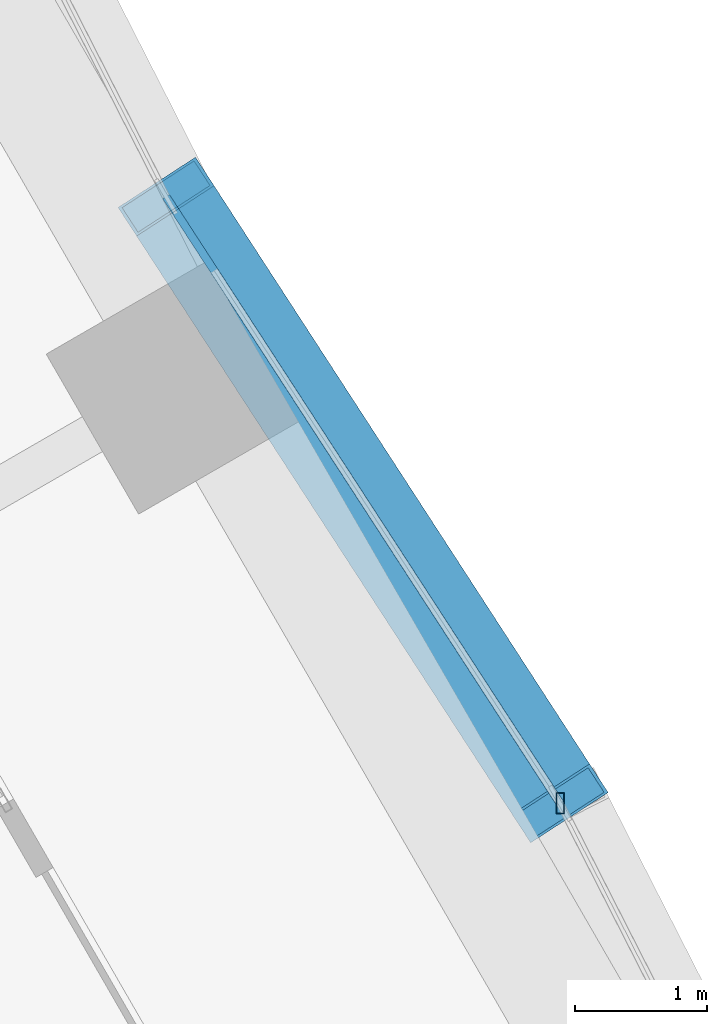
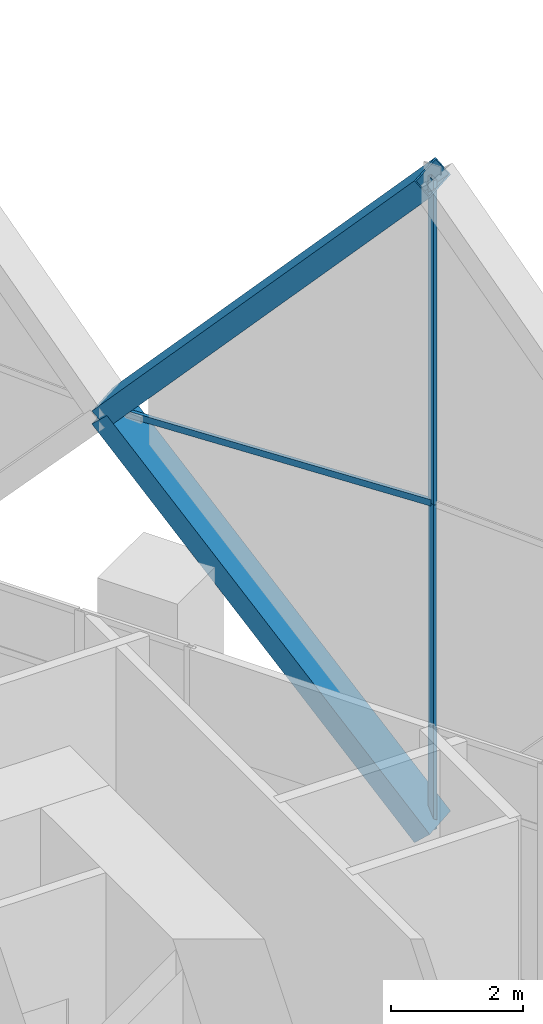
# One storey, part 31 of 46: 5 members, 2 elements without a shape of their own.
"""IFC4 building model written with IfcOpenShell, lengths in metres."""

from ifc_helpers import new_model, si_unit, direction, frame, origin, origin_2d, place, context, subcontext, project, spatial, hollow_rectangle, extrude, material, material_profile, profile_set, type_object, element, aggregate, save


model = new_model("IFC4")

# Units and contexts
model_context = context("Model", 3, precision=1e-05, world=origin(), true_north=direction((0.0, 1.0)))
body_context = subcontext(model_context, "Body", "Model", "MODEL_VIEW")
ifc_project = project(units=[si_unit("LENGTHUNIT", "METRE"), si_unit("AREAUNIT", "SQUARE_METRE"), si_unit("VOLUMEUNIT", "CUBIC_METRE"), si_unit("PLANEANGLEUNIT", "RADIAN"), si_unit("MASSUNIT", "GRAM", prefix="KILO")], contexts=[model_context])

# Site, building, storey
site_placement = place(None, origin())
site = spatial("IfcSite", under=ifc_project, at=site_placement, CompositionType="ELEMENT")
building_placement = place(site_placement, origin())
building = spatial("IfcBuilding", under=site, at=building_placement, Name="Ostrander Bayou Hotel Tower", CompositionType="ELEMENT")
storey_placement = place(building_placement, frame((0.0, 0.0, 23.5)))
storey = spatial("IfcBuildingStorey", under=building, at=storey_placement, Name="L05", CompositionType="ELEMENT", Elevation=23.5)

# Curtain wall, members
ifc_material_1 = material(Name="Aluminium and clear glass", Category="aluminium")
curtain_wall_type = type_object("IfcCurtainWallType", Name="CW-LAT lattice glazing", PredefinedType="NOTDEFINED", material=ifc_material_1)
curtain_wall_1_placement = place(storey_placement, origin())
curtain_wall_1 = element("IfcCurtainWall", 1, at=curtain_wall_1_placement, inside=storey, type_object=curtain_wall_type, Name="CW-LAT L05 NE 1", PredefinedType="NOTDEFINED")
ifc_material_2 = material(Name="Aluminium", Category="aluminium")
ifc_material_profile_1 = material_profile(ifc_material_2, hollow_rectangle(XDim=0.06005859375, YDim=0.159912109375, WallThickness=0.00390625, at=origin_2d()))
ifc_profile_set_1 = profile_set([ifc_material_profile_1], Name="Aluminium")
member_type_1 = type_object("IfcMemberType", Name="CW-LA mullion 60 x 160 mm", PredefinedType="MULLION", material=ifc_profile_set_1)
member_1_placement = place(storey_placement, frame((19.11328125, 11.034912109375, -0.60009765625), z_axis=(0.0, 0.0, 1.0), x_axis=(1.0, 0.0, 0.0)))
member_1 = element("IfcMember", 2, at=member_1_placement, type_object=member_type_1, Name="CW-LAT mullion 4", PredefinedType="MULLION", context=body_context, shape_type="SweptSolid", body=[
    extrude(hollow_rectangle(XDim=0.06005859375, YDim=0.159912109375, WallThickness=0.00390625, at=origin_2d()), origin(), (0.0, 0.0, 1.0), 6.0),
])
member_2_placement = place(storey_placement, frame((19.11328125, 11.034912109375, 5.39990234375), z_axis=(0.0, 0.0, 1.0), x_axis=(1.0, 0.0, 0.0)))
member_2 = element("IfcMember", 3, at=member_2_placement, type_object=member_type_1, Name="CW-LAT mullion 5", PredefinedType="MULLION", context=body_context, shape_type="SweptSolid", body=[
    extrude(hollow_rectangle(XDim=0.06005859375, YDim=0.159912109375, WallThickness=0.00390625, at=origin_2d()), origin(), (0.0, 0.0, 1.0), 6.0),
])
aggregate(curtain_wall_1, [member_1, member_2])

# Curtain wall, member
curtain_wall_2_placement = place(storey_placement, origin())
curtain_wall_2 = element("IfcCurtainWall", 4, at=curtain_wall_2_placement, inside=storey, type_object=curtain_wall_type, Name="CW-LAT L05 NE 2", PredefinedType="NOTDEFINED")
ifc_material_3 = material(Name="Aluminium", Category="aluminium")
ifc_material_profile_2 = material_profile(ifc_material_3, hollow_rectangle(XDim=0.06005859375, YDim=0.1201171875, WallThickness=0.00390625, at=origin_2d()))
ifc_profile_set_2 = profile_set([ifc_material_profile_2], Name="Aluminium")
member_type_2 = type_object("IfcMemberType", Name="CW-LA transom 60 x 120 mm", PredefinedType="USERDEFINED", material=ifc_profile_set_2)
member_3_placement = place(storey_placement, frame((19.11328125, 11.034912109375, 5.39990234375), z_axis=(-0.544651812438, 0.838662270052, 0.0), x_axis=(-0.838662270052, -0.544651812438, 0.0)))
member_3 = element("IfcMember", 5, at=member_3_placement, type_object=member_type_2, Name="CW-LAT transom 7", ObjectType="TRANSOM", PredefinedType="USERDEFINED", context=body_context, shape_type="SweptSolid", body=[
    extrude(hollow_rectangle(XDim=0.06005859375, YDim=0.1201171875, WallThickness=0.00390625, at=origin_2d()), origin(), (0.0, 0.0, 1.0), 5.48291015625),
])
aggregate(curtain_wall_2, [member_3])

# Members
ifc_material_4 = material(Name="Steel ASTM A572 Gr 50", Category="steel")
ifc_material_profile_3 = material_profile(ifc_material_4, hollow_rectangle(XDim=0.699951171875, YDim=0.35009765625, WallThickness=0.02490234375, at=origin_2d()))
ifc_profile_set_3 = profile_set([ifc_material_profile_3], Name="Steel ASTM A572 Gr 50")
member_type_3 = type_object("IfcMemberType", Name="LT1 lattice member box 700 x 350 x 25 mm", PredefinedType="BRACE", material=ifc_profile_set_3)
for number, where, z_axis, x_axis, name in (
    (6, (16.126953125, 15.63330078125, 5.39990234375), (0.367415336606, -0.5657511335, -0.738194842416), (0.838662270052, 0.544651812438, 0.0), "LT1 L05 NE 5"),
    (7, (16.126953125, 15.63330078125, 5.39990234375), (0.367415336606, -0.5657511335, 0.738194842416), (0.838662270052, 0.544651812438, 0.0), "LT1 L05 NE 6"),
):
    element("IfcMember", number, at=place(storey_placement, frame(where, z_axis=z_axis, x_axis=x_axis)), inside=storey, type_object=member_type_3, Name=name, PredefinedType="BRACE", context=body_context, shape_type="SweptSolid", body=[
        extrude(hollow_rectangle(XDim=0.699951171875, YDim=0.35009765625, WallThickness=0.02490234375, at=origin_2d()), origin(), (0.0, 0.0, 1.0), 8.1279296875),
    ])

save(model, "model.ifc")
